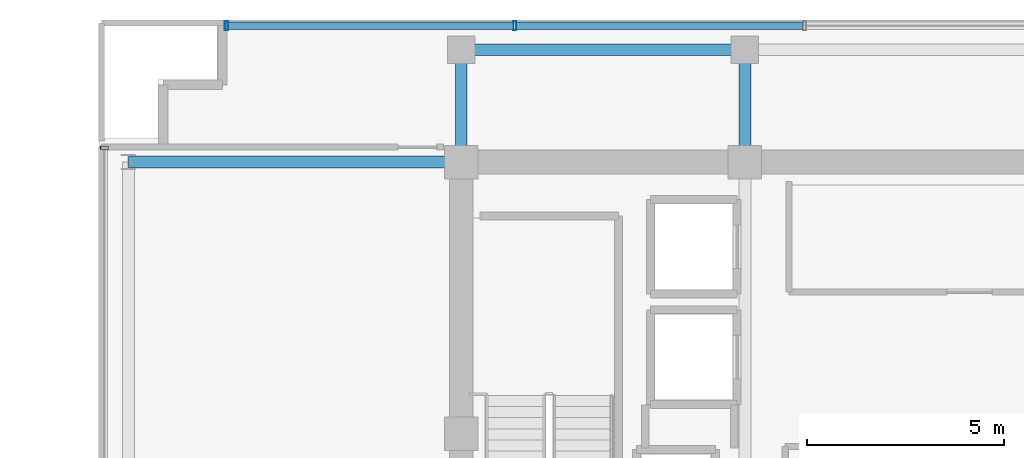
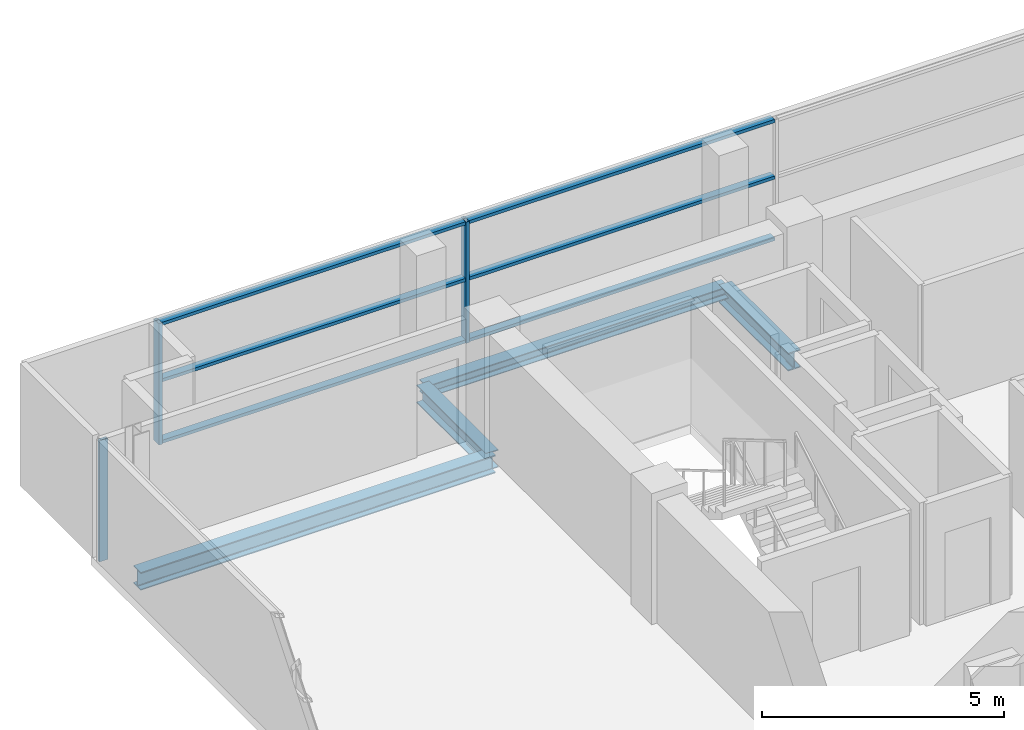
# One storey, part 11 of 22: 9 members, 4 beams, 2 elements without a shape of their own.
"""IFC4 building model written with IfcOpenShell, lengths in metres."""

from ifc_helpers import new_model, si_unit, direction, frame, origin, origin_2d, place, context, subcontext, project, spatial, hollow_rectangle, i_section, extrude, source, transform, mapped, material, layer, layer_set, material_profile, profile_set, type_object, element, aggregate, save


model = new_model("IFC4")

# Units and contexts
model_context = context("Model", 3, precision=1e-05, world=origin(), true_north=direction((0.0, 1.0)))
body_context = subcontext(model_context, "Body", "Model", "MODEL_VIEW")
ifc_project = project(units=[si_unit("LENGTHUNIT", "METRE"), si_unit("AREAUNIT", "SQUARE_METRE"), si_unit("VOLUMEUNIT", "CUBIC_METRE"), si_unit("PLANEANGLEUNIT", "RADIAN"), si_unit("MASSUNIT", "GRAM", prefix="KILO")], contexts=[model_context])

# Site, building, storey
site_placement = place(None, origin())
site = spatial("IfcSite", under=ifc_project, at=site_placement, CompositionType="ELEMENT")
building_placement = place(site_placement, origin())
building = spatial("IfcBuilding", under=site, at=building_placement, Name="Zarnakvel Exchange Tower", CompositionType="ELEMENT")
storey_placement = place(building_placement, frame((0.0, 0.0, 215.5)))
storey = spatial("IfcBuildingStorey", under=building, at=storey_placement, Name="L60", CompositionType="ELEMENT", Elevation=215.5)

# Beams
ifc_material_1 = material(Name="Steel S355", Category="steel")
ifc_material_profile_1 = material_profile(ifc_material_1, i_section(OverallWidth=0.300048828125, OverallDepth=0.449951171875, WebThickness=0.013916015625, FlangeThickness=0.02587890625, FilletRadius=0.027099609375, at=origin_2d()))
ifc_profile_set_1 = profile_set([ifc_material_profile_1], Name="Steel S355")
beam_type_1 = type_object("IfcBeamType", Name="G-07", PredefinedType="BEAM", material=ifc_profile_set_1)
beam_1_placement = place(storey_placement, frame((-22.85009765625, 13.5, -0.449951171875), z_axis=(1.0, 0.0, 0.0), x_axis=(0.0, 1.0, 0.0)))
element("IfcBeam", 1, at=beam_1_placement, inside=storey, type_object=beam_type_1, Name="L60 Tower E-W Frame Beam", PredefinedType="BEAM", context=body_context, shape_type="SweptSolid", body=[
    extrude(i_section(OverallWidth=0.300048828125, OverallDepth=0.449951171875, WebThickness=0.013916015625, FlangeThickness=0.02587890625, FilletRadius=0.027099609375, at=origin_2d()), origin(), (0.0, 0.0, 1.0), 8.4501953125),
])
for number, where, z_axis, x_axis, name in (
    (2, (-14.39990234375, 13.5, -0.449951171875), (0.0, 1.0, 0.0), (-1.0, 0.0, 0.0), "L60 Tower N-S Frame Beam"),
    (3, (-7.199951171875, 13.5, -0.449951171875), (0.0, 1.0, 0.0), (-1.0, 0.0, 0.0), "L60 Tower N-S Frame Beam"),
):
    element("IfcBeam", number, at=place(storey_placement, frame(where, z_axis=z_axis, x_axis=x_axis)), inside=storey, type_object=beam_type_1, Name=name, PredefinedType="BEAM", context=body_context, shape_type="SweptSolid", body=[
        extrude(i_section(OverallWidth=0.300048828125, OverallDepth=0.449951171875, WebThickness=0.013916015625, FlangeThickness=0.02587890625, FilletRadius=0.027099609375, at=origin_2d()), origin(), (0.0, 0.0, 1.0), 2.85009765625),
    ])
ifc_material_profile_2 = material_profile(ifc_material_1, i_section(OverallWidth=0.300048828125, OverallDepth=0.300048828125, WebThickness=0.010986328125, FlangeThickness=0.01904296875, FilletRadius=0.027099609375, at=origin_2d()))
ifc_profile_set_2 = profile_set([ifc_material_profile_2], Name="Steel S355")
beam_type_2 = type_object("IfcBeamType", Name="SP-03", PredefinedType="SPANDREL", material=ifc_profile_set_2)
beam_2_placement = place(storey_placement, frame((-14.39990234375, 16.35009765625, -0.375), z_axis=(1.0, 0.0, 0.0), x_axis=(0.0, 1.0, 0.0)))
element("IfcBeam", 4, at=beam_2_placement, inside=storey, type_object=beam_type_2, Name="L60 Tower E-W Frame Beam", PredefinedType="SPANDREL", context=body_context, shape_type="SweptSolid", body=[
    extrude(i_section(OverallWidth=0.300048828125, OverallDepth=0.300048828125, WebThickness=0.010986328125, FlangeThickness=0.01904296875, FilletRadius=0.027099609375, at=origin_2d()), origin(), (0.0, 0.0, 1.0), 7.199951171875),
])

# Curtain wall, member
ifc_material_2 = material(Name="Architectural Bronze Anodised Aluminium", Category="aluminium")
ifc_layer_1 = layer(ifc_material_2, 0.199951171875)
ifc_layer_set_1 = layer_set([ifc_layer_1], Name="Architectural Bronze Anodised Aluminium")
curtain_wall_type_1 = type_object("IfcCurtainWallType", Name="CW-04", PredefinedType="NOTDEFINED", material=ifc_layer_set_1)
curtain_wall_1_placement = place(storey_placement, origin())
curtain_wall_1 = element("IfcCurtainWall", 5, at=curtain_wall_1_placement, inside=storey, type_object=curtain_wall_type_1, Name="L60 Curtain Wall CW-L60-WN (CW-04)", PredefinedType="NOTDEFINED")
ifc_material_profile_3 = material_profile(ifc_material_2, hollow_rectangle(XDim=0.199951171875, YDim=0.074951171875, WallThickness=0.0048828125, at=origin_2d()))
ifc_profile_set_3 = profile_set([ifc_material_profile_3], Name="Architectural Bronze Anodised Aluminium")
member_type_1 = type_object("IfcMemberType", Name="CWM-04", PredefinedType="MULLION", material=ifc_profile_set_3)
shared_shape_1 = source(origin(), body_context, "Body", "SweptSolid", [
    extrude(hollow_rectangle(XDim=0.199951171875, YDim=0.074951171875, WallThickness=0.0048828125, at=origin_2d()), origin(), (0.0, 0.0, 1.0), 3.054931640625),
])
member_1_placement = place(storey_placement, frame((-23.4599609375, 13.862548828125, 0.0), z_axis=(0.0, 0.0, 1.0), x_axis=(-1.0, 0.0, 0.0)))
member_1 = element("IfcMember", 6, at=member_1_placement, type_object=member_type_1, Name="CW-04 mullion 3", PredefinedType="MULLION", context=body_context, shape_type="MappedRepresentation", body=[
    mapped(shared_shape_1, transform((0.0, 0.0, 0.0), x_axis=(1.0, 0.0, 0.0), y_axis=(0.0, 1.0, 0.0), z_axis=(0.0, 0.0, 1.0), scale=1.0)),
])
aggregate(curtain_wall_1, [member_1])

# Curtain wall, members
ifc_layer_2 = layer(ifc_material_2, 0.219970703125)
ifc_layer_set_2 = layer_set([ifc_layer_2], Name="Architectural Bronze Anodised Aluminium")
curtain_wall_type_2 = type_object("IfcCurtainWallType", Name="CW-03", PredefinedType="NOTDEFINED", material=ifc_layer_set_2)
curtain_wall_2_placement = place(storey_placement, origin())
curtain_wall_2 = element("IfcCurtainWall", 7, at=curtain_wall_2_placement, inside=storey, type_object=curtain_wall_type_2, Name="L60 Curtain Wall CW-L60-N1 (CW-03)", PredefinedType="NOTDEFINED")
ifc_material_profile_4 = material_profile(ifc_material_2, hollow_rectangle(XDim=0.219970703125, YDim=0.080078125, WallThickness=0.0048828125, at=origin_2d()))
ifc_profile_set_4 = profile_set([ifc_material_profile_4], Name="Architectural Bronze Anodised Aluminium")
member_type_2 = type_object("IfcMemberType", Name="CWM-03", PredefinedType="MULLION", material=ifc_profile_set_4)
shared_shape_2 = source(origin(), body_context, "Body", "SweptSolid", [
    extrude(hollow_rectangle(XDim=0.219970703125, YDim=0.080078125, WallThickness=0.0048828125, at=origin_2d()), origin(), (0.0, 0.0, 1.0), 3.054931640625),
])
member_2_placement = place(storey_placement, frame((-20.360107421875, 16.9599609375, 0.0), z_axis=(0.0, 0.0, 1.0), x_axis=(0.0, 1.0, 0.0)))
member_2 = element("IfcMember", 8, at=member_2_placement, type_object=member_type_2, Name="CW-03 mullion 1", PredefinedType="MULLION", context=body_context, shape_type="MappedRepresentation", body=[
    mapped(shared_shape_2, transform((0.0, 0.0, 0.0), x_axis=(1.0, 0.0, 0.0), y_axis=(0.0, 1.0, 0.0), z_axis=(0.0, 0.0, 1.0), scale=1.0)),
])
member_3_placement = place(storey_placement, frame((-13.0400390625, 16.9599609375, 0.0), z_axis=(0.0, 0.0, 1.0), x_axis=(0.0, 1.0, 0.0)))
member_3 = element("IfcMember", 9, at=member_3_placement, type_object=member_type_2, Name="CW-03 mullion 2", PredefinedType="MULLION", context=body_context, shape_type="MappedRepresentation", body=[
    mapped(shared_shape_2, transform((0.0, 0.0, 0.0), x_axis=(1.0, 0.0, 0.0), y_axis=(0.0, 1.0, 0.0), z_axis=(0.0, 0.0, 1.0), scale=1.0)),
])
ifc_material_profile_5 = material_profile(ifc_material_2, hollow_rectangle(XDim=0.179931640625, YDim=0.080078125, WallThickness=0.00390625, at=origin_2d()))
ifc_profile_set_5 = profile_set([ifc_material_profile_5], Name="Architectural Bronze Anodised Aluminium")
member_type_3 = type_object("IfcMemberType", Name="CWT-03", PredefinedType="USERDEFINED", material=ifc_profile_set_5)
shared_shape_3 = source(origin(), body_context, "Body", "SweptSolid", [
    extrude(hollow_rectangle(XDim=0.179931640625, YDim=0.080078125, WallThickness=0.00390625, at=origin_2d()), origin(), (0.0, 0.0, 1.0), 7.239990234375),
])
member_4_placement = place(storey_placement, frame((-20.320068359375, 16.9599609375, 0.0400390625), z_axis=(1.0, 0.0, 0.0), x_axis=(0.0, 1.0, 0.0)))
member_4 = element("IfcMember", 10, at=member_4_placement, type_object=member_type_3, Name="CW-03 transom 1.1", ObjectType="TRANSOM", PredefinedType="USERDEFINED", context=body_context, shape_type="MappedRepresentation", body=[
    mapped(shared_shape_3, transform((0.0, 0.0, 0.0), x_axis=(1.0, 0.0, 0.0), y_axis=(0.0, 1.0, 0.0), z_axis=(0.0, 0.0, 1.0), scale=1.0)),
])
member_5_placement = place(storey_placement, frame((-20.320068359375, 16.9599609375, 1.588623046875), z_axis=(1.0, 0.0, 0.0), x_axis=(0.0, 1.0, 0.0)))
member_5 = element("IfcMember", 11, at=member_5_placement, type_object=member_type_3, Name="CW-03 transom 1.2", ObjectType="TRANSOM", PredefinedType="USERDEFINED", context=body_context, shape_type="MappedRepresentation", body=[
    mapped(shared_shape_3, transform((0.0, 0.0, 0.0), x_axis=(1.0, 0.0, 0.0), y_axis=(0.0, 1.0, 0.0), z_axis=(0.0, 0.0, 1.0), scale=1.0)),
])
member_6_placement = place(storey_placement, frame((-20.320068359375, 16.9599609375, 3.014892578125), z_axis=(1.0, 0.0, 0.0), x_axis=(0.0, 1.0, 0.0)))
member_6 = element("IfcMember", 12, at=member_6_placement, type_object=member_type_3, Name="CW-03 transom 1.3", ObjectType="TRANSOM", PredefinedType="USERDEFINED", context=body_context, shape_type="MappedRepresentation", body=[
    mapped(shared_shape_3, transform((0.0, 0.0, 0.0), x_axis=(1.0, 0.0, 0.0), y_axis=(0.0, 1.0, 0.0), z_axis=(0.0, 0.0, 1.0), scale=1.0)),
])
shared_shape_4 = source(origin(), body_context, "Body", "SweptSolid", [
    extrude(hollow_rectangle(XDim=0.179931640625, YDim=0.080078125, WallThickness=0.00390625, at=origin_2d()), origin(), (0.0, 0.0, 1.0), 7.280029296875),
])
member_7_placement = place(storey_placement, frame((-13.0, 16.9599609375, 0.0400390625), z_axis=(1.0, 0.0, 0.0), x_axis=(0.0, 1.0, 0.0)))
member_7 = element("IfcMember", 13, at=member_7_placement, type_object=member_type_3, Name="CW-03 transom 2.1", ObjectType="TRANSOM", PredefinedType="USERDEFINED", context=body_context, shape_type="MappedRepresentation", body=[
    mapped(shared_shape_4, transform((0.0, 0.0, 0.0), x_axis=(1.0, 0.0, 0.0), y_axis=(0.0, 1.0, 0.0), z_axis=(0.0, 0.0, 1.0), scale=1.0)),
])
member_8_placement = place(storey_placement, frame((-13.0, 16.9599609375, 1.588623046875), z_axis=(1.0, 0.0, 0.0), x_axis=(0.0, 1.0, 0.0)))
member_8 = element("IfcMember", 14, at=member_8_placement, type_object=member_type_3, Name="CW-03 transom 2.2", ObjectType="TRANSOM", PredefinedType="USERDEFINED", context=body_context, shape_type="MappedRepresentation", body=[
    mapped(shared_shape_4, transform((0.0, 0.0, 0.0), x_axis=(1.0, 0.0, 0.0), y_axis=(0.0, 1.0, 0.0), z_axis=(0.0, 0.0, 1.0), scale=1.0)),
])
member_9_placement = place(storey_placement, frame((-13.0, 16.9599609375, 3.014892578125), z_axis=(1.0, 0.0, 0.0), x_axis=(0.0, 1.0, 0.0)))
member_9 = element("IfcMember", 15, at=member_9_placement, type_object=member_type_3, Name="CW-03 transom 2.3", ObjectType="TRANSOM", PredefinedType="USERDEFINED", context=body_context, shape_type="MappedRepresentation", body=[
    mapped(shared_shape_4, transform((0.0, 0.0, 0.0), x_axis=(1.0, 0.0, 0.0), y_axis=(0.0, 1.0, 0.0), z_axis=(0.0, 0.0, 1.0), scale=1.0)),
])
aggregate(curtain_wall_2, [member_2, member_3, member_4, member_5, member_6, member_7, member_8, member_9])

save(model, "model.ifc")
